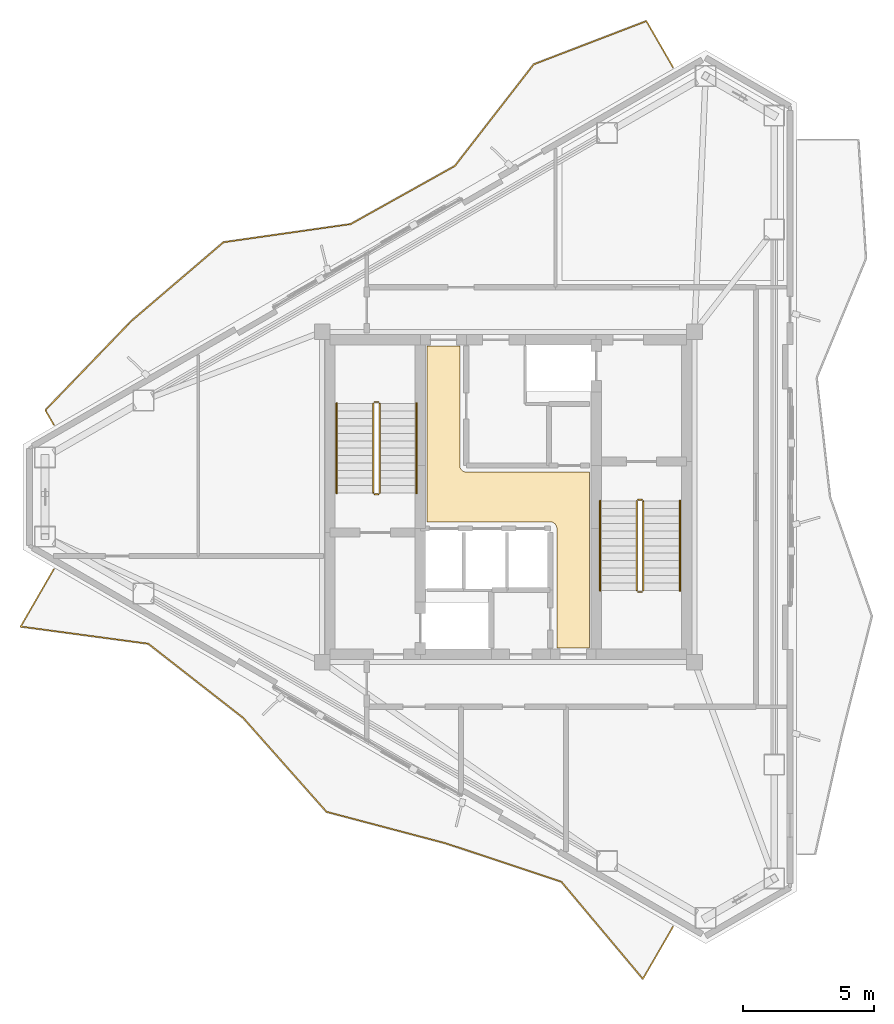
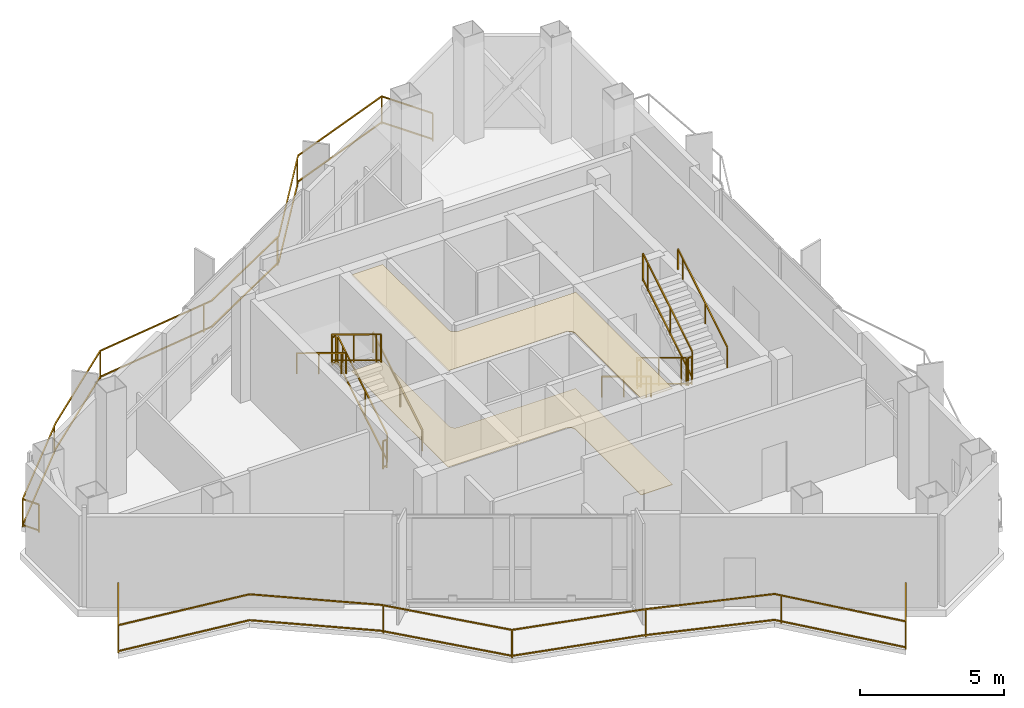
# One storey, part 13 of 14: 14 railings, 2 coverings.
"""IFC4 building model written with IfcOpenShell, lengths in metres."""

from ifc_helpers import new_model, si_unit, direction, frame, origin, origin_2d, place, context, subcontext, project, spatial, polyline, rectangle, outline, extrude, material, layer, layer_set, type_object, element, save


model = new_model("IFC4")

# Units and contexts
model_context = context("Model", 3, precision=1e-05, world=origin(), true_north=direction((0.0, 1.0)))
body_context = subcontext(model_context, "Body", "Model", "MODEL_VIEW")
ifc_project = project(units=[si_unit("LENGTHUNIT", "METRE"), si_unit("AREAUNIT", "SQUARE_METRE"), si_unit("VOLUMEUNIT", "CUBIC_METRE"), si_unit("PLANEANGLEUNIT", "RADIAN"), si_unit("MASSUNIT", "GRAM", prefix="KILO")], contexts=[model_context])

# Site, building, storey
site_placement = place(None, origin())
site = spatial("IfcSite", under=ifc_project, at=site_placement, CompositionType="ELEMENT")
building_placement = place(site_placement, origin())
building = spatial("IfcBuilding", under=site, at=building_placement, Name="Mersakhor Tower and Convention Hall", CompositionType="ELEMENT")
storey_placement = place(building_placement, frame((0.0, 0.0, 249.60009765625)))
storey = spatial("IfcBuildingStorey", under=building, at=storey_placement, Name="L70", CompositionType="ELEMENT", Elevation=249.60009765625)

# Coverings
ifc_material_1 = material(Name="Acoustic mineral-fibre suspended ceiling", Category="other")
ifc_layer_1 = layer(ifc_material_1, 0.02490234375)
ifc_layer_set_1 = layer_set([ifc_layer_1], Name="Acoustic mineral-fibre suspended ceiling")
covering_type_1 = type_object("IfcCoveringType", Name="COV-CLG-25", PredefinedType="CEILING", material=ifc_layer_set_1)
covering_1_placement = place(storey_placement, frame((0.0, 0.0, 4.059814453125)))
element("IfcCovering", 1, at=covering_1_placement, inside=storey, type_object=covering_type_1, Name="L70 Central Passenger Lift Lobby Acoustic Suspended Ceiling", PredefinedType="CEILING", context=body_context, shape_type="SweptSolid", body=[
    extrude(outline(polyline([(30.85009765625, 21.0), (30.85009765625, 25.550048828125), (30.848876953125, 25.574462890625), (30.84521484375, 25.598876953125), (30.839111328125, 25.62255859375), (30.8310546875, 25.645751953125), (30.820556640625, 25.667724609375), (30.807861328125, 25.68896484375), (30.793212890625, 25.70849609375), (30.77685546875, 25.726806640625), (30.758544921875, 25.743408203125), (30.739013671875, 25.7578125), (30.7177734375, 25.7705078125), (30.69580078125, 25.781005859375), (30.672607421875, 25.789306640625), (30.648681640625, 25.795166015625), (30.62451171875, 25.798828125), (30.60009765625, 25.800048828125), (25.89990234375, 25.800048828125), (25.89990234375, 32.5), (27.14990234375, 32.5), (27.14990234375, 27.949951171875), (27.151123046875, 27.925537109375), (27.15478515625, 27.901123046875), (27.160888671875, 27.87744140625), (27.1689453125, 27.854248046875), (27.179443359375, 27.832275390625), (27.192138671875, 27.81103515625), (27.206787109375, 27.79150390625), (27.22314453125, 27.773193359375), (27.241455078125, 27.756591796875), (27.260986328125, 27.7421875), (27.2822265625, 27.7294921875), (27.30419921875, 27.718994140625), (27.327392578125, 27.710693359375), (27.351318359375, 27.704833984375), (27.37548828125, 27.701171875), (27.39990234375, 27.699951171875), (32.10009765625, 27.699951171875), (32.10009765625, 21.0), (30.85009765625, 21.0)])), origin(), (0.0, 0.0, 1.0), 0.025146484375),
])
ifc_material_2 = material(Name="Polished porcelain tile flooring", Category="other")
ifc_layer_2 = layer(ifc_material_2, 0.02001953125)
ifc_layer_set_2 = layer_set([ifc_layer_2], Name="Polished porcelain tile flooring")
covering_type_2 = type_object("IfcCoveringType", Name="COV-FLR-20", PredefinedType="FLOORING", material=ifc_layer_set_2)
covering_2_placement = place(storey_placement, origin())
element("IfcCovering", 2, at=covering_2_placement, inside=storey, type_object=covering_type_2, Name="L70 Central Passenger Lift Lobby Porcelain Floor Finish", PredefinedType="FLOORING", context=body_context, shape_type="SweptSolid", body=[
    extrude(outline(polyline([(30.85009765625, 21.0), (30.85009765625, 25.550048828125), (30.848876953125, 25.574462890625), (30.84521484375, 25.598876953125), (30.839111328125, 25.62255859375), (30.8310546875, 25.645751953125), (30.820556640625, 25.667724609375), (30.807861328125, 25.68896484375), (30.793212890625, 25.70849609375), (30.77685546875, 25.726806640625), (30.758544921875, 25.743408203125), (30.739013671875, 25.7578125), (30.7177734375, 25.7705078125), (30.69580078125, 25.781005859375), (30.672607421875, 25.789306640625), (30.648681640625, 25.795166015625), (30.62451171875, 25.798828125), (30.60009765625, 25.800048828125), (25.89990234375, 25.800048828125), (25.89990234375, 32.5), (27.14990234375, 32.5), (27.14990234375, 27.949951171875), (27.151123046875, 27.925537109375), (27.15478515625, 27.901123046875), (27.160888671875, 27.87744140625), (27.1689453125, 27.854248046875), (27.179443359375, 27.832275390625), (27.192138671875, 27.81103515625), (27.206787109375, 27.79150390625), (27.22314453125, 27.773193359375), (27.241455078125, 27.756591796875), (27.260986328125, 27.7421875), (27.2822265625, 27.7294921875), (27.30419921875, 27.718994140625), (27.327392578125, 27.710693359375), (27.351318359375, 27.704833984375), (27.37548828125, 27.701171875), (27.39990234375, 27.699951171875), (32.10009765625, 27.699951171875), (32.10009765625, 21.0), (30.85009765625, 21.0)])), origin(), (0.0, 0.0, 1.0), 0.02001953125),
])

# Railings
ifc_material_3 = material(Name="Powder-coated galvanised steel and laminated glass balustrade", Category="steel")
railing_type_1 = type_object("IfcRailingType", Name="RL-BAL-1200", PredefinedType="BALUSTRADE", material=ifc_material_3)
railing_1_placement = place(storey_placement, frame((35.287841796875, 43.13134765625, 0.0)))
element("IfcRailing", 3, at=railing_1_placement, inside=storey, type_object=railing_type_1, Name="L70 Sinusoidal Balcony Balustrade F1", PredefinedType="BALUSTRADE", context=body_context, shape_type="SweptSolid", body=[
    extrude(rectangle(XDim=0.048095703125, YDim=0.048095703125, at=origin_2d()), frame((0.0, 0.0, 1.17578125), z_axis=(-0.500036479807, 0.866004341134, 0.0), x_axis=(-0.866004341134, -0.500036479807, 0.0)), (0.0, 0.0, 1.0), 2.041259765625),
    extrude(rectangle(XDim=0.048095703125, YDim=0.048095703125, at=origin_2d()), frame((0.0, 0.0, 0.080078125), z_axis=(-0.500036479807, 0.866004341134, 0.0), x_axis=(-0.866004341134, -0.500036479807, 0.0)), (0.0, 0.0, 1.0), 2.041259765625),
    extrude(rectangle(XDim=0.048095703125, YDim=0.048095703125, at=origin_2d()), frame((-1.020751953125, 1.767822265625, 1.17578125), z_axis=(-0.93362697614, -0.35824666003, 0.0), x_axis=(0.35824666003, -0.93362697614, 0.0)), (0.0, 0.0, 1.0), 4.60205078125),
    extrude(rectangle(XDim=0.048095703125, YDim=0.048095703125, at=origin_2d()), frame((-1.020751953125, 1.767822265625, 0.080078125), z_axis=(-0.93362697614, -0.35824666003, 0.0), x_axis=(0.35824666003, -0.93362697614, 0.0)), (0.0, 0.0, 1.0), 4.60205078125),
    extrude(rectangle(XDim=0.048095703125, YDim=0.048095703125, at=origin_2d()), frame((-5.3173828125, 0.119140625, 1.17578125), z_axis=(-0.61301744282, -0.790069373409, 0.0), x_axis=(0.790069373409, -0.61301744282, 0.0)), (0.0, 0.0, 1.0), 4.908935546875),
    extrude(rectangle(XDim=0.048095703125, YDim=0.048095703125, at=origin_2d()), frame((-5.3173828125, 0.119140625, 0.080078125), z_axis=(-0.61301744282, -0.790069373409, 0.0), x_axis=(0.790069373409, -0.61301744282, 0.0)), (0.0, 0.0, 1.0), 4.908935546875),
    extrude(rectangle(XDim=0.048095703125, YDim=0.048095703125, at=origin_2d()), frame((-8.32666015625, -3.75927734375, 1.17578125), z_axis=(-0.873332678429, -0.487124247793, 0.0), x_axis=(0.487124247793, -0.873332678429, 0.0)), (0.0, 0.0, 1.0), 4.545654296875),
    extrude(rectangle(XDim=0.048095703125, YDim=0.048095703125, at=origin_2d()), frame((-8.32666015625, -3.75927734375, 0.080078125), z_axis=(-0.873332678429, -0.487124247793, 0.0), x_axis=(0.487124247793, -0.873332678429, 0.0)), (0.0, 0.0, 1.0), 4.545654296875),
    extrude(rectangle(XDim=0.048095703125, YDim=0.048095703125, at=origin_2d()), frame((-12.296630859375, -5.9736328125, 1.17578125), z_axis=(-0.989981366384, -0.141198067309, 0.0), x_axis=(0.141198067309, -0.989981366384, 0.0)), (0.0, 0.0, 1.0), 4.8984375),
    extrude(rectangle(XDim=0.048095703125, YDim=0.048095703125, at=origin_2d()), frame((-12.296630859375, -5.9736328125, 0.080078125), z_axis=(-0.989981366384, -0.141198067309, 0.0), x_axis=(0.141198067309, -0.989981366384, 0.0)), (0.0, 0.0, 1.0), 4.8984375),
    extrude(rectangle(XDim=0.048095703125, YDim=0.048095703125, at=origin_2d()), frame((-17.14599609375, -6.665283203125, 1.17578125), z_axis=(-0.760258477283, -0.649620695267, 0.0), x_axis=(0.649620695267, -0.760258477283, 0.0)), (0.0, 0.0, 1.0), 4.623046875),
    extrude(rectangle(XDim=0.048095703125, YDim=0.048095703125, at=origin_2d()), frame((-17.14599609375, -6.665283203125, 0.080078125), z_axis=(-0.760258477283, -0.649620695267, 0.0), x_axis=(0.649620695267, -0.760258477283, 0.0)), (0.0, 0.0, 1.0), 4.623046875),
    extrude(rectangle(XDim=0.048095703125, YDim=0.048095703125, at=origin_2d()), frame((-20.66064453125, -9.66845703125, 1.17578125), z_axis=(-0.694083982811, -0.719894037207, 0.0), x_axis=(0.719894037207, -0.694083982811, 0.0)), (0.0, 0.0, 1.0), 4.7294921875),
    extrude(rectangle(XDim=0.048095703125, YDim=0.048095703125, at=origin_2d()), frame((-20.66064453125, -9.66845703125, 0.080078125), z_axis=(-0.694083982811, -0.719894037207, 0.0), x_axis=(0.719894037207, -0.694083982811, 0.0)), (0.0, 0.0, 1.0), 4.7294921875),
    extrude(rectangle(XDim=0.048095703125, YDim=0.048095703125, at=origin_2d()), frame((-23.943359375, -13.0732421875, 1.17578125), z_axis=(0.500058503878, -0.86599162392, 0.0), x_axis=(0.86599162392, 0.500058503878, 0.0)), (0.0, 0.0, 1.0), 0.64990234375),
    extrude(rectangle(XDim=0.048095703125, YDim=0.048095703125, at=origin_2d()), frame((-23.943359375, -13.0732421875, 0.080078125), z_axis=(0.500058503878, -0.86599162392, 0.0), x_axis=(0.86599162392, 0.500058503878, 0.0)), (0.0, 0.0, 1.0), 0.64990234375),
    extrude(rectangle(XDim=0.0419921875, YDim=0.0419921875, at=origin_2d()), origin(), (0.0, 0.0, 1.0), 1.15185546875),
    extrude(rectangle(XDim=0.0419921875, YDim=0.0419921875, at=origin_2d()), frame((-1.020751953125, 1.767822265625, 0.0)), (0.0, 0.0, 1.0), 1.15185546875),
    extrude(rectangle(XDim=0.0419921875, YDim=0.0419921875, at=origin_2d()), frame((-5.438720703125, -0.037109375, 0.0)), (0.0, 0.0, 1.0), 1.15185546875),
    extrude(rectangle(XDim=0.0419921875, YDim=0.0419921875, at=origin_2d()), frame((-8.404296875, -3.802490234375, 0.0)), (0.0, 0.0, 1.0), 1.15185546875),
    extrude(rectangle(XDim=0.0419921875, YDim=0.0419921875, at=origin_2d()), frame((-12.636474609375, -6.02197265625, 0.0)), (0.0, 0.0, 1.0), 1.15185546875),
    extrude(rectangle(XDim=0.0419921875, YDim=0.0419921875, at=origin_2d()), frame((-17.14599609375, -6.665283203125, 0.0)), (0.0, 0.0, 1.0), 1.15185546875),
    extrude(rectangle(XDim=0.0419921875, YDim=0.0419921875, at=origin_2d()), frame((-20.783447265625, -9.7958984375, 0.0)), (0.0, 0.0, 1.0), 1.15185546875),
    extrude(rectangle(XDim=0.0419921875, YDim=0.0419921875, at=origin_2d()), frame((-23.943359375, -13.0732421875, 0.0)), (0.0, 0.0, 1.0), 1.15185546875),
    extrude(rectangle(XDim=0.0419921875, YDim=0.0419921875, at=origin_2d()), frame((-23.618408203125, -13.635986328125, 0.0)), (0.0, 0.0, 1.0), 1.15185546875),
])
railing_2_placement = place(storey_placement, frame((11.66943359375, 24.004638671875, 0.0)))
element("IfcRailing", 4, at=railing_2_placement, inside=storey, type_object=railing_type_1, Name="L70 Sinusoidal Balcony Balustrade F3", PredefinedType="BALUSTRADE", context=body_context, shape_type="SweptSolid", body=[
    extrude(rectangle(XDim=0.048095703125, YDim=0.048095703125, at=origin_2d()), frame((0.0, 0.0, 1.17578125), z_axis=(-0.50000315907, -0.866023579887, 0.0), x_axis=(0.866023579887, -0.50000315907, 0.0)), (0.0, 0.0, 1.0), 2.53466796875),
    extrude(rectangle(XDim=0.048095703125, YDim=0.048095703125, at=origin_2d()), frame((0.0, 0.0, 0.080078125), z_axis=(-0.50000315907, -0.866023579887, 0.0), x_axis=(0.866023579887, -0.50000315907, 0.0)), (0.0, 0.0, 1.0), 2.53466796875),
    extrude(rectangle(XDim=0.048095703125, YDim=0.048095703125, at=origin_2d()), frame((-1.267333984375, -2.195068359375, 1.17578125), z_axis=(0.991076697313, -0.133292835676, 0.0), x_axis=(0.133292835676, 0.991076697313, 0.0)), (0.0, 0.0, 1.0), 4.914306640625),
    extrude(rectangle(XDim=0.048095703125, YDim=0.048095703125, at=origin_2d()), frame((-1.267333984375, -2.195068359375, 0.080078125), z_axis=(0.991076697313, -0.133292835676, 0.0), x_axis=(0.133292835676, 0.991076697313, 0.0)), (0.0, 0.0, 1.0), 4.914306640625),
    extrude(rectangle(XDim=0.048095703125, YDim=0.048095703125, at=origin_2d()), frame((3.60302734375, -2.85009765625, 1.17578125), z_axis=(0.788147741698, -0.615486098346, 0.0), x_axis=(0.615486098346, 0.788147741698, 0.0)), (0.0, 0.0, 1.0), 4.58984375),
    extrude(rectangle(XDim=0.048095703125, YDim=0.048095703125, at=origin_2d()), frame((3.60302734375, -2.85009765625, 0.080078125), z_axis=(0.788147741698, -0.615486098346, 0.0), x_axis=(0.615486098346, 0.788147741698, 0.0)), (0.0, 0.0, 1.0), 4.58984375),
    extrude(rectangle(XDim=0.048095703125, YDim=0.048095703125, at=origin_2d()), frame((7.220458984375, -5.675048828125, 1.17578125), z_axis=(0.663414514298, -0.748252084674, 0.0), x_axis=(0.748252084674, 0.663414514298, 0.0)), (0.0, 0.0, 1.0), 4.79150390625),
    extrude(rectangle(XDim=0.048095703125, YDim=0.048095703125, at=origin_2d()), frame((7.220458984375, -5.675048828125, 0.080078125), z_axis=(0.663414514298, -0.748252084674, 0.0), x_axis=(0.748252084674, 0.663414514298, 0.0)), (0.0, 0.0, 1.0), 4.79150390625),
    extrude(rectangle(XDim=0.048095703125, YDim=0.048095703125, at=origin_2d()), frame((10.399169921875, -9.26025390625, 1.17578125), z_axis=(0.966840478449, -0.255381066709, 0.0), x_axis=(0.255381066709, 0.966840478449, 0.0)), (0.0, 0.0, 1.0), 4.710205078125),
    extrude(rectangle(XDim=0.048095703125, YDim=0.048095703125, at=origin_2d()), frame((10.399169921875, -9.26025390625, 0.080078125), z_axis=(0.966840478449, -0.255381066709, 0.0), x_axis=(0.255381066709, 0.966840478449, 0.0)), (0.0, 0.0, 1.0), 4.710205078125),
    extrude(rectangle(XDim=0.048095703125, YDim=0.048095703125, at=origin_2d()), frame((14.953125, -10.463134765625, 1.17578125), z_axis=(0.948993244621, -0.315296402872, 0.0), x_axis=(0.315296402872, 0.948993244621, 0.0)), (0.0, 0.0, 1.0), 4.640625),
    extrude(rectangle(XDim=0.048095703125, YDim=0.048095703125, at=origin_2d()), frame((14.953125, -10.463134765625, 0.080078125), z_axis=(0.948993244621, -0.315296402872, 0.0), x_axis=(0.315296402872, 0.948993244621, 0.0)), (0.0, 0.0, 1.0), 4.640625),
    extrude(rectangle(XDim=0.048095703125, YDim=0.048095703125, at=origin_2d()), frame((19.35693359375, -11.92626953125, 1.17578125), z_axis=(0.642682984847, -0.76613222161, 0.0), x_axis=(0.76613222161, 0.642682984847, 0.0)), (0.0, 0.0, 1.0), 4.83740234375),
    extrude(rectangle(XDim=0.048095703125, YDim=0.048095703125, at=origin_2d()), frame((19.35693359375, -11.92626953125, 0.080078125), z_axis=(0.642682984847, -0.76613222161, 0.0), x_axis=(0.76613222161, 0.642682984847, 0.0)), (0.0, 0.0, 1.0), 4.83740234375),
    extrude(rectangle(XDim=0.048095703125, YDim=0.048095703125, at=origin_2d()), frame((22.4658203125, -15.63232421875, 1.17578125), z_axis=(0.500000544019, 0.866025089694, 0.0), x_axis=(-0.866025089694, 0.500000544019, 0.0)), (0.0, 0.0, 1.0), 2.30517578125),
    extrude(rectangle(XDim=0.048095703125, YDim=0.048095703125, at=origin_2d()), frame((22.4658203125, -15.63232421875, 0.080078125), z_axis=(0.500000544019, 0.866025089694, 0.0), x_axis=(-0.866025089694, 0.500000544019, 0.0)), (0.0, 0.0, 1.0), 2.30517578125),
    extrude(rectangle(XDim=0.0419921875, YDim=0.0419921875, at=origin_2d()), origin(), (0.0, 0.0, 1.0), 1.15185546875),
    extrude(rectangle(XDim=0.0419921875, YDim=0.0419921875, at=origin_2d()), frame((-1.267333984375, -2.195068359375, 0.0)), (0.0, 0.0, 1.0), 1.15185546875),
    extrude(rectangle(XDim=0.0419921875, YDim=0.0419921875, at=origin_2d()), frame((7.2841796875, -5.746826171875, 0.0)), (0.0, 0.0, 1.0), 1.15185546875),
    extrude(rectangle(XDim=0.0419921875, YDim=0.0419921875, at=origin_2d()), frame((10.399169921875, -9.26025390625, 0.0)), (0.0, 0.0, 1.0), 1.15185546875),
    extrude(rectangle(XDim=0.0419921875, YDim=0.0419921875, at=origin_2d()), frame((15.038330078125, -10.491455078125, 0.0)), (0.0, 0.0, 1.0), 1.15185546875),
    extrude(rectangle(XDim=0.0419921875, YDim=0.0419921875, at=origin_2d()), frame((19.51708984375, -12.1171875, 0.0)), (0.0, 0.0, 1.0), 1.15185546875),
    extrude(rectangle(XDim=0.0419921875, YDim=0.0419921875, at=origin_2d()), frame((22.4658203125, -15.63232421875, 0.0)), (0.0, 0.0, 1.0), 1.15185546875),
    extrude(rectangle(XDim=0.0419921875, YDim=0.0419921875, at=origin_2d()), frame((23.618408203125, -13.635986328125, 0.0)), (0.0, 0.0, 1.0), 1.15185546875),
])
ifc_material_4 = material(Name="Brushed stainless steel handrail", Category="steel")
railing_type_2 = type_object("IfcRailingType", Name="RL-HR-900", PredefinedType="HANDRAIL", material=ifc_material_4)
railing_3_placement = place(storey_placement, frame((25.5, 26.89990234375, 0.173095703125)))
element("IfcRailing", 5, at=railing_3_placement, inside=storey, type_object=railing_type_2, Name="L70 ST-1 stair handrail 1", PredefinedType="HANDRAIL", context=body_context, shape_type="SweptSolid", body=[
    extrude(rectangle(XDim=0.048095703125, YDim=0.048095703125, at=origin_2d()), frame((0.0, 0.0, 0.8759765625), z_axis=(0.0, 0.854745945586, 0.519046595696), x_axis=(-1.0, 0.0, 0.0)), (0.0, 0.0, 1.0), 4.00146484375),
    extrude(rectangle(XDim=0.0419921875, YDim=0.0419921875, at=origin_2d()), origin(), (0.0, 0.0, 1.0), 0.851806640625),
    extrude(rectangle(XDim=0.0419921875, YDim=0.0419921875, at=origin_2d()), frame((0.0, 1.53857421875, 0.934326171875)), (0.0, 0.0, 1.0), 0.851806640625),
    extrude(rectangle(XDim=0.0419921875, YDim=0.0419921875, at=origin_2d()), frame((0.0, 3.0771484375, 1.86865234375)), (0.0, 0.0, 1.0), 0.851806640625),
    extrude(rectangle(XDim=0.0419921875, YDim=0.0419921875, at=origin_2d()), frame((0.0, 3.420166015625, 2.076904296875)), (0.0, 0.0, 1.0), 0.851806640625),
])
for number, where, name in (
    (6, (22.449951171875, 30.320068359375, 2.423095703125), "L70 ST-1 stair handrail 2"),
    (7, (32.5, 26.60009765625, 0.173095703125), "L70 ST-2 stair handrail 1"),
):
    element("IfcRailing", number, at=place(storey_placement, frame(where)), inside=storey, type_object=railing_type_2, Name=name, PredefinedType="HANDRAIL", context=body_context, shape_type="SweptSolid", body=[
        extrude(rectangle(XDim=0.048095703125, YDim=0.048095703125, at=origin_2d()), frame((0.0, 0.0, 0.8759765625), z_axis=(0.0, -0.854745945586, 0.519046595696), x_axis=(1.0, 0.0, 0.0)), (0.0, 0.0, 1.0), 4.00146484375),
        extrude(rectangle(XDim=0.0419921875, YDim=0.0419921875, at=origin_2d()), origin(), (0.0, 0.0, 1.0), 0.851806640625),
        extrude(rectangle(XDim=0.0419921875, YDim=0.0419921875, at=origin_2d()), frame((0.0, -1.53857421875, 0.934326171875)), (0.0, 0.0, 1.0), 0.851806640625),
        extrude(rectangle(XDim=0.0419921875, YDim=0.0419921875, at=origin_2d()), frame((0.0, -3.0771484375, 1.86865234375)), (0.0, 0.0, 1.0), 0.851806640625),
        extrude(rectangle(XDim=0.0419921875, YDim=0.0419921875, at=origin_2d()), frame((0.0, -3.420166015625, 2.076904296875)), (0.0, 0.0, 1.0), 0.851806640625),
    ])
railing_4_placement = place(storey_placement, frame((35.550048828125, 23.179931640625, 2.423095703125)))
element("IfcRailing", 8, at=railing_4_placement, inside=storey, type_object=railing_type_2, Name="L70 ST-2 stair handrail 2", PredefinedType="HANDRAIL", context=body_context, shape_type="SweptSolid", body=[
    extrude(rectangle(XDim=0.048095703125, YDim=0.048095703125, at=origin_2d()), frame((0.0, 0.0, 0.8759765625), z_axis=(0.0, 0.854745945586, 0.519046595696), x_axis=(-1.0, 0.0, 0.0)), (0.0, 0.0, 1.0), 4.00146484375),
    extrude(rectangle(XDim=0.0419921875, YDim=0.0419921875, at=origin_2d()), origin(), (0.0, 0.0, 1.0), 0.851806640625),
    extrude(rectangle(XDim=0.0419921875, YDim=0.0419921875, at=origin_2d()), frame((0.0, 1.53857421875, 0.934326171875)), (0.0, 0.0, 1.0), 0.851806640625),
    extrude(rectangle(XDim=0.0419921875, YDim=0.0419921875, at=origin_2d()), frame((0.0, 3.0771484375, 1.86865234375)), (0.0, 0.0, 1.0), 0.851806640625),
    extrude(rectangle(XDim=0.0419921875, YDim=0.0419921875, at=origin_2d()), frame((0.0, 3.420166015625, 2.076904296875)), (0.0, 0.0, 1.0), 0.851806640625),
])
ifc_material_5 = material(Name="Painted steel stair balustrade S355", Category="steel")
railing_type_3 = type_object("IfcRailingType", Name="RL-STG-1200", PredefinedType="BALUSTRADE", material=ifc_material_5)
railing_5_placement = place(storey_placement, frame((24.10009765625, 26.89990234375, 0.173095703125)))
element("IfcRailing", 9, at=railing_5_placement, inside=storey, type_object=railing_type_3, Name="L70 ST-1 stair guard 1", PredefinedType="BALUSTRADE", context=body_context, shape_type="SweptSolid", body=[
    extrude(rectangle(XDim=0.048095703125, YDim=0.048095703125, at=origin_2d()), frame((0.0, 0.0, 1.17578125), z_axis=(0.0, 0.854745945586, 0.519046595696), x_axis=(-1.0, 0.0, 0.0)), (0.0, 0.0, 1.0), 4.00146484375),
    extrude(rectangle(XDim=0.048095703125, YDim=0.048095703125, at=origin_2d()), frame((0.0, 0.0, 0.080078125), z_axis=(0.0, 0.854745945586, 0.519046595696), x_axis=(-1.0, 0.0, 0.0)), (0.0, 0.0, 1.0), 4.00146484375),
    extrude(rectangle(XDim=0.0419921875, YDim=0.0419921875, at=origin_2d()), origin(), (0.0, 0.0, 1.0), 1.15185546875),
    extrude(rectangle(XDim=0.0419921875, YDim=0.0419921875, at=origin_2d()), frame((0.0, 1.53857421875, 0.934326171875)), (0.0, 0.0, 1.0), 1.15185546875),
    extrude(rectangle(XDim=0.0419921875, YDim=0.0419921875, at=origin_2d()), frame((0.0, 3.0771484375, 1.86865234375)), (0.0, 0.0, 1.0), 1.15185546875),
    extrude(rectangle(XDim=0.0419921875, YDim=0.0419921875, at=origin_2d()), frame((0.0, 3.420166015625, 2.076904296875)), (0.0, 0.0, 1.0), 1.15185546875),
])
railing_6_placement = place(storey_placement, frame((24.050048828125, 30.3701171875, 2.25)))
element("IfcRailing", 10, at=railing_6_placement, inside=storey, type_object=railing_type_3, Name="L70 ST-1 stair guard 2", PredefinedType="BALUSTRADE", context=body_context, shape_type="SweptSolid", body=[
    extrude(rectangle(XDim=0.048095703125, YDim=0.048095703125, at=origin_2d()), frame((0.0, 0.0, 1.17578125), z_axis=(-1.0, 0.0, 0.0), x_axis=(0.0, -1.0, 0.0)), (0.0, 0.0, 1.0), 0.150146484375),
    extrude(rectangle(XDim=0.048095703125, YDim=0.048095703125, at=origin_2d()), frame((0.0, 0.0, 0.080078125), z_axis=(-1.0, 0.0, 0.0), x_axis=(0.0, -1.0, 0.0)), (0.0, 0.0, 1.0), 0.150146484375),
    extrude(rectangle(XDim=0.0419921875, YDim=0.0419921875, at=origin_2d()), origin(), (0.0, 0.0, 1.0), 1.15185546875),
    extrude(rectangle(XDim=0.0419921875, YDim=0.0419921875, at=origin_2d()), frame((-0.150146484375, 0.0, 0.0)), (0.0, 0.0, 1.0), 1.15185546875),
])
railing_7_placement = place(storey_placement, frame((23.85009765625, 30.320068359375, 2.423095703125)))
element("IfcRailing", 11, at=railing_7_placement, inside=storey, type_object=railing_type_3, Name="L70 ST-1 stair guard 3", PredefinedType="BALUSTRADE", context=body_context, shape_type="SweptSolid", body=[
    extrude(rectangle(XDim=0.048095703125, YDim=0.048095703125, at=origin_2d()), frame((0.0, 0.0, 1.17578125), z_axis=(0.0, -0.854745945586, 0.519046595696), x_axis=(1.0, 0.0, 0.0)), (0.0, 0.0, 1.0), 4.00146484375),
    extrude(rectangle(XDim=0.048095703125, YDim=0.048095703125, at=origin_2d()), frame((0.0, 0.0, 0.080078125), z_axis=(0.0, -0.854745945586, 0.519046595696), x_axis=(1.0, 0.0, 0.0)), (0.0, 0.0, 1.0), 4.00146484375),
    extrude(rectangle(XDim=0.0419921875, YDim=0.0419921875, at=origin_2d()), origin(), (0.0, 0.0, 1.0), 1.15185546875),
    extrude(rectangle(XDim=0.0419921875, YDim=0.0419921875, at=origin_2d()), frame((0.0, -1.53857421875, 0.934326171875)), (0.0, 0.0, 1.0), 1.15185546875),
    extrude(rectangle(XDim=0.0419921875, YDim=0.0419921875, at=origin_2d()), frame((0.0, -3.0771484375, 1.86865234375)), (0.0, 0.0, 1.0), 1.15185546875),
    extrude(rectangle(XDim=0.0419921875, YDim=0.0419921875, at=origin_2d()), frame((0.0, -3.420166015625, 2.076904296875)), (0.0, 0.0, 1.0), 1.15185546875),
])
railing_8_placement = place(storey_placement, frame((24.050048828125, 26.85009765625, 0.0)))
element("IfcRailing", 12, at=railing_8_placement, inside=storey, type_object=railing_type_3, Name="L70 ST-1 stair guard 4", PredefinedType="BALUSTRADE", context=body_context, shape_type="SweptSolid", body=[
    extrude(rectangle(XDim=0.048095703125, YDim=0.048095703125, at=origin_2d()), frame((0.0, 0.0, 1.17578125), z_axis=(-1.0, 0.0, 0.0), x_axis=(0.0, -1.0, 0.0)), (0.0, 0.0, 1.0), 0.150146484375),
    extrude(rectangle(XDim=0.048095703125, YDim=0.048095703125, at=origin_2d()), frame((0.0, 0.0, 0.080078125), z_axis=(-1.0, 0.0, 0.0), x_axis=(0.0, -1.0, 0.0)), (0.0, 0.0, 1.0), 0.150146484375),
    extrude(rectangle(XDim=0.0419921875, YDim=0.0419921875, at=origin_2d()), origin(), (0.0, 0.0, 1.0), 1.15185546875),
    extrude(rectangle(XDim=0.0419921875, YDim=0.0419921875, at=origin_2d()), frame((-0.150146484375, 0.0, 0.0)), (0.0, 0.0, 1.0), 1.15185546875),
])
railing_9_placement = place(storey_placement, frame((33.89990234375, 26.60009765625, 0.173095703125)))
element("IfcRailing", 13, at=railing_9_placement, inside=storey, type_object=railing_type_3, Name="L70 ST-2 stair guard 1", PredefinedType="BALUSTRADE", context=body_context, shape_type="SweptSolid", body=[
    extrude(rectangle(XDim=0.048095703125, YDim=0.048095703125, at=origin_2d()), frame((0.0, 0.0, 1.17578125), z_axis=(0.0, -0.854745945586, 0.519046595696), x_axis=(1.0, 0.0, 0.0)), (0.0, 0.0, 1.0), 4.00146484375),
    extrude(rectangle(XDim=0.048095703125, YDim=0.048095703125, at=origin_2d()), frame((0.0, 0.0, 0.080078125), z_axis=(0.0, -0.854745945586, 0.519046595696), x_axis=(1.0, 0.0, 0.0)), (0.0, 0.0, 1.0), 4.00146484375),
    extrude(rectangle(XDim=0.0419921875, YDim=0.0419921875, at=origin_2d()), origin(), (0.0, 0.0, 1.0), 1.15185546875),
    extrude(rectangle(XDim=0.0419921875, YDim=0.0419921875, at=origin_2d()), frame((0.0, -1.53857421875, 0.934326171875)), (0.0, 0.0, 1.0), 1.15185546875),
    extrude(rectangle(XDim=0.0419921875, YDim=0.0419921875, at=origin_2d()), frame((0.0, -3.0771484375, 1.86865234375)), (0.0, 0.0, 1.0), 1.15185546875),
    extrude(rectangle(XDim=0.0419921875, YDim=0.0419921875, at=origin_2d()), frame((0.0, -3.420166015625, 2.076904296875)), (0.0, 0.0, 1.0), 1.15185546875),
])
railing_10_placement = place(storey_placement, frame((33.949951171875, 23.1298828125, 2.25)))
element("IfcRailing", 14, at=railing_10_placement, inside=storey, type_object=railing_type_3, Name="L70 ST-2 stair guard 2", PredefinedType="BALUSTRADE", context=body_context, shape_type="SweptSolid", body=[
    extrude(rectangle(XDim=0.048095703125, YDim=0.048095703125, at=origin_2d()), frame((0.0, 0.0, 1.17578125), z_axis=(1.0, 0.0, 0.0), x_axis=(0.0, 1.0, 0.0)), (0.0, 0.0, 1.0), 0.150146484375),
    extrude(rectangle(XDim=0.048095703125, YDim=0.048095703125, at=origin_2d()), frame((0.0, 0.0, 0.080078125), z_axis=(1.0, 0.0, 0.0), x_axis=(0.0, 1.0, 0.0)), (0.0, 0.0, 1.0), 0.150146484375),
    extrude(rectangle(XDim=0.0419921875, YDim=0.0419921875, at=origin_2d()), origin(), (0.0, 0.0, 1.0), 1.15185546875),
    extrude(rectangle(XDim=0.0419921875, YDim=0.0419921875, at=origin_2d()), frame((0.150146484375, 0.0, 0.0)), (0.0, 0.0, 1.0), 1.15185546875),
])
railing_11_placement = place(storey_placement, frame((34.14990234375, 23.179931640625, 2.423095703125)))
element("IfcRailing", 15, at=railing_11_placement, inside=storey, type_object=railing_type_3, Name="L70 ST-2 stair guard 3", PredefinedType="BALUSTRADE", context=body_context, shape_type="SweptSolid", body=[
    extrude(rectangle(XDim=0.048095703125, YDim=0.048095703125, at=origin_2d()), frame((0.0, 0.0, 1.17578125), z_axis=(0.0, 0.854745945586, 0.519046595696), x_axis=(-1.0, 0.0, 0.0)), (0.0, 0.0, 1.0), 4.00146484375),
    extrude(rectangle(XDim=0.048095703125, YDim=0.048095703125, at=origin_2d()), frame((0.0, 0.0, 0.080078125), z_axis=(0.0, 0.854745945586, 0.519046595696), x_axis=(-1.0, 0.0, 0.0)), (0.0, 0.0, 1.0), 4.00146484375),
    extrude(rectangle(XDim=0.0419921875, YDim=0.0419921875, at=origin_2d()), origin(), (0.0, 0.0, 1.0), 1.15185546875),
    extrude(rectangle(XDim=0.0419921875, YDim=0.0419921875, at=origin_2d()), frame((0.0, 1.53857421875, 0.934326171875)), (0.0, 0.0, 1.0), 1.15185546875),
    extrude(rectangle(XDim=0.0419921875, YDim=0.0419921875, at=origin_2d()), frame((0.0, 3.0771484375, 1.86865234375)), (0.0, 0.0, 1.0), 1.15185546875),
    extrude(rectangle(XDim=0.0419921875, YDim=0.0419921875, at=origin_2d()), frame((0.0, 3.420166015625, 2.076904296875)), (0.0, 0.0, 1.0), 1.15185546875),
])
railing_12_placement = place(storey_placement, frame((33.949951171875, 26.64990234375, 0.0)))
element("IfcRailing", 16, at=railing_12_placement, inside=storey, type_object=railing_type_3, Name="L70 ST-2 stair guard 4", PredefinedType="BALUSTRADE", context=body_context, shape_type="SweptSolid", body=[
    extrude(rectangle(XDim=0.048095703125, YDim=0.048095703125, at=origin_2d()), frame((0.0, 0.0, 1.17578125), z_axis=(1.0, 0.0, 0.0), x_axis=(0.0, 1.0, 0.0)), (0.0, 0.0, 1.0), 0.150146484375),
    extrude(rectangle(XDim=0.048095703125, YDim=0.048095703125, at=origin_2d()), frame((0.0, 0.0, 0.080078125), z_axis=(1.0, 0.0, 0.0), x_axis=(0.0, 1.0, 0.0)), (0.0, 0.0, 1.0), 0.150146484375),
    extrude(rectangle(XDim=0.0419921875, YDim=0.0419921875, at=origin_2d()), origin(), (0.0, 0.0, 1.0), 1.15185546875),
    extrude(rectangle(XDim=0.0419921875, YDim=0.0419921875, at=origin_2d()), frame((0.150146484375, 0.0, 0.0)), (0.0, 0.0, 1.0), 1.15185546875),
])

save(model, "model.ifc")
